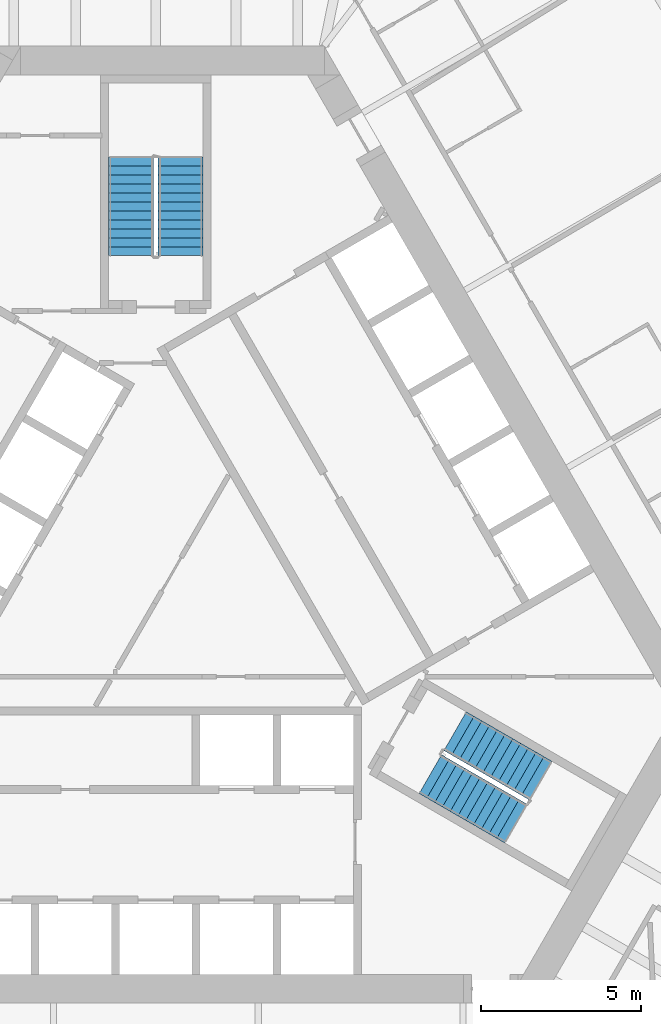
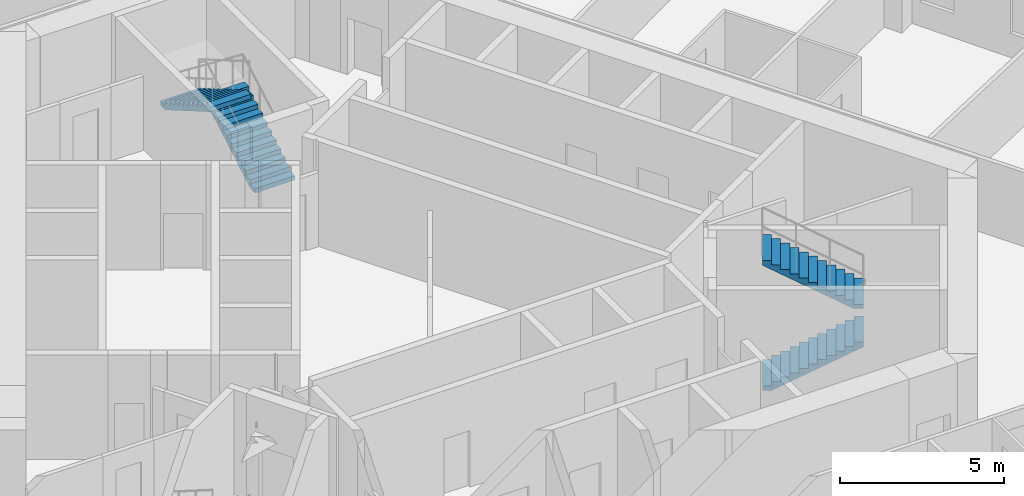
# One storey, part 12 of 13: 4 stair flights, 2 elements without a shape of their own.
"""IFC4 building model written with IfcOpenShell, lengths in metres."""

from ifc_helpers import new_model, si_unit, direction, frame, origin, place, context, subcontext, project, spatial, polyline, outline, extrude, material, type_object, element, aggregate, save


model = new_model("IFC4")

# Units and contexts
model_context = context("Model", 3, precision=1e-05, world=origin(), true_north=direction((0.0, 1.0)))
body_context = subcontext(model_context, "Body", "Model", "MODEL_VIEW")
ifc_project = project(units=[si_unit("LENGTHUNIT", "METRE"), si_unit("AREAUNIT", "SQUARE_METRE"), si_unit("VOLUMEUNIT", "CUBIC_METRE"), si_unit("PLANEANGLEUNIT", "RADIAN"), si_unit("MASSUNIT", "GRAM", prefix="KILO")], contexts=[model_context])

# Site, building, storey
site_placement = place(None, origin())
site = spatial("IfcSite", under=ifc_project, at=site_placement, CompositionType="ELEMENT")
building_placement = place(site_placement, origin())
building = spatial("IfcBuilding", under=site, at=building_placement, Name="Mestral Congress Tower", CompositionType="ELEMENT")
storey_placement = place(building_placement, frame((0.0, 0.0, 62.699951171875)))
storey = spatial("IfcBuildingStorey", under=building, at=storey_placement, Name="L14", CompositionType="ELEMENT", Elevation=62.699951171875)

# Stair, stair flights
ifc_material = material(Name="Concrete C60/75", Category="concrete")
stair_type = type_object("IfcStairType", Name="Exit stair 1400", PredefinedType="HALF_TURN_STAIR", material=ifc_material)
placement = place(storey_placement, origin())
stair_1 = element("IfcStair", 1, at=placement, inside=storey, type_object=stair_type, Name="L14 ST1", PredefinedType="HALF_TURN_STAIR")
stair_flight_type = type_object("IfcStairFlightType", Name="Exit stair flight 1400", PredefinedType="STRAIGHT", material=ifc_material)
stair_flight_1_placement = place(storey_placement, frame((8.575927734375, -5.84619140625, 0.0), z_axis=(0.0, 0.0, 1.0), x_axis=(0.866025403784, -0.5, 0.0)))
stair_flight_1 = element("IfcStairFlight", 2, at=stair_flight_1_placement, type_object=stair_flight_type, Name="ST1 flight 1", NumberOfRisers=12, NumberOfTreads=11, PredefinedType="STRAIGHT", RiserHeight=0.1625, TreadLength=0.28, context=body_context, shape_type="SweptSolid", body=[
    extrude(outline(polyline([(0.0, 0.0), (0.0, 0.16259765625), (0.280029296875, 0.16259765625), (0.280029296875, 0.324951171875), (0.56005859375, 0.324951171875), (0.56005859375, 0.487548828125), (0.840087890625, 0.487548828125), (0.840087890625, 0.64990234375), (1.1201171875, 0.64990234375), (1.1201171875, 0.8125), (1.39990234375, 0.8125), (1.39990234375, 0.97509765625), (1.679931640625, 0.97509765625), (1.679931640625, 1.137451171875), (1.9599609375, 1.137451171875), (1.9599609375, 1.300048828125), (2.239990234375, 1.300048828125), (2.239990234375, 1.46240234375), (2.52001953125, 1.46240234375), (2.52001953125, 1.625), (2.800048828125, 1.625), (2.800048828125, 1.78759765625), (3.080078125, 1.78759765625), (3.080078125, 1.949951171875), (3.080078125, 1.6142578125), (0.298583984375, 0.0), (0.0, 0.0)])), frame((0.0, 0.699951171875, 0.0), z_axis=(0.0, -1.0, 0.0), x_axis=(1.0, 0.0, 0.0)), (0.0, 0.0, 1.0), 1.39990234375),
])
stair_flight_2_placement = place(storey_placement, frame((12.018310546875, -6.0439453125, 1.949951171875), z_axis=(0.0, 0.0, 1.0), x_axis=(-0.866025403784, 0.5, 0.0)))
stair_flight_2 = element("IfcStairFlight", 3, at=stair_flight_2_placement, type_object=stair_flight_type, Name="ST1 flight 2", NumberOfRisers=12, NumberOfTreads=11, PredefinedType="STRAIGHT", RiserHeight=0.1625, TreadLength=0.28, context=body_context, shape_type="SweptSolid", body=[
    extrude(outline(polyline([(0.0, 0.0), (0.0, 0.16259765625), (0.280029296875, 0.16259765625), (0.280029296875, 0.324951171875), (0.56005859375, 0.324951171875), (0.56005859375, 0.487548828125), (0.840087890625, 0.487548828125), (0.840087890625, 0.64990234375), (1.1201171875, 0.64990234375), (1.1201171875, 0.8125), (1.39990234375, 0.8125), (1.39990234375, 0.97509765625), (1.679931640625, 0.97509765625), (1.679931640625, 1.137451171875), (1.9599609375, 1.137451171875), (1.9599609375, 1.300048828125), (2.239990234375, 1.300048828125), (2.239990234375, 1.46240234375), (2.52001953125, 1.46240234375), (2.52001953125, 1.625), (2.800048828125, 1.625), (2.800048828125, 1.78759765625), (3.080078125, 1.78759765625), (3.080078125, 1.949951171875), (3.080078125, 1.6142578125), (0.298583984375, 0.0), (0.0, 0.0)])), frame((0.0, 0.699951171875, 0.0), z_axis=(0.0, -1.0, 0.0), x_axis=(1.0, 0.0, 0.0)), (0.0, 0.0, 1.0), 1.39990234375),
])
aggregate(stair_1, [stair_flight_1, stair_flight_2])

stair_2 = element("IfcStair", 4, at=placement, inside=storey, type_object=stair_type, Name="L14 ST2", PredefinedType="HALF_TURN_STAIR")
stair_flight_3_placement = place(storey_placement, frame((0.77490234375, 10.35009765625, 0.0), z_axis=(0.0, 0.0, 1.0), x_axis=(0.0, 1.0, 0.0)))
stair_flight_3 = element("IfcStairFlight", 5, at=stair_flight_3_placement, type_object=stair_flight_type, Name="ST2 flight 1", NumberOfRisers=12, NumberOfTreads=11, PredefinedType="STRAIGHT", RiserHeight=0.1625, TreadLength=0.28, context=body_context, shape_type="SweptSolid", body=[
    extrude(outline(polyline([(0.0, 0.0), (0.0, 0.16259765625), (0.280029296875, 0.16259765625), (0.280029296875, 0.324951171875), (0.56005859375, 0.324951171875), (0.56005859375, 0.487548828125), (0.840087890625, 0.487548828125), (0.840087890625, 0.64990234375), (1.1201171875, 0.64990234375), (1.1201171875, 0.8125), (1.39990234375, 0.8125), (1.39990234375, 0.97509765625), (1.679931640625, 0.97509765625), (1.679931640625, 1.137451171875), (1.9599609375, 1.137451171875), (1.9599609375, 1.300048828125), (2.239990234375, 1.300048828125), (2.239990234375, 1.46240234375), (2.52001953125, 1.46240234375), (2.52001953125, 1.625), (2.800048828125, 1.625), (2.800048828125, 1.78759765625), (3.080078125, 1.78759765625), (3.080078125, 1.949951171875), (3.080078125, 1.6142578125), (0.298583984375, 0.0), (0.0, 0.0)])), frame((0.0, 0.699951171875, 0.0), z_axis=(0.0, -1.0, 0.0), x_axis=(1.0, 0.0, 0.0)), (0.0, 0.0, 1.0), 1.39990234375),
])
stair_flight_4_placement = place(storey_placement, frame((-0.77490234375, 13.429931640625, 1.949951171875), z_axis=(0.0, 0.0, 1.0), x_axis=(0.0, -1.0, 0.0)))
stair_flight_4 = element("IfcStairFlight", 6, at=stair_flight_4_placement, type_object=stair_flight_type, Name="ST2 flight 2", NumberOfRisers=12, NumberOfTreads=11, PredefinedType="STRAIGHT", RiserHeight=0.1625, TreadLength=0.28, context=body_context, shape_type="SweptSolid", body=[
    extrude(outline(polyline([(0.0, 0.0), (0.0, 0.16259765625), (0.280029296875, 0.16259765625), (0.280029296875, 0.324951171875), (0.56005859375, 0.324951171875), (0.56005859375, 0.487548828125), (0.840087890625, 0.487548828125), (0.840087890625, 0.64990234375), (1.1201171875, 0.64990234375), (1.1201171875, 0.8125), (1.39990234375, 0.8125), (1.39990234375, 0.97509765625), (1.679931640625, 0.97509765625), (1.679931640625, 1.137451171875), (1.9599609375, 1.137451171875), (1.9599609375, 1.300048828125), (2.239990234375, 1.300048828125), (2.239990234375, 1.46240234375), (2.52001953125, 1.46240234375), (2.52001953125, 1.625), (2.800048828125, 1.625), (2.800048828125, 1.78759765625), (3.080078125, 1.78759765625), (3.080078125, 1.949951171875), (3.080078125, 1.6142578125), (0.298583984375, 0.0), (0.0, 0.0)])), frame((0.0, 0.699951171875, 0.0), z_axis=(0.0, -1.0, 0.0), x_axis=(1.0, 0.0, 0.0)), (0.0, 0.0, 1.0), 1.39990234375),
])
aggregate(stair_2, [stair_flight_3, stair_flight_4])

save(model, "model.ifc")
